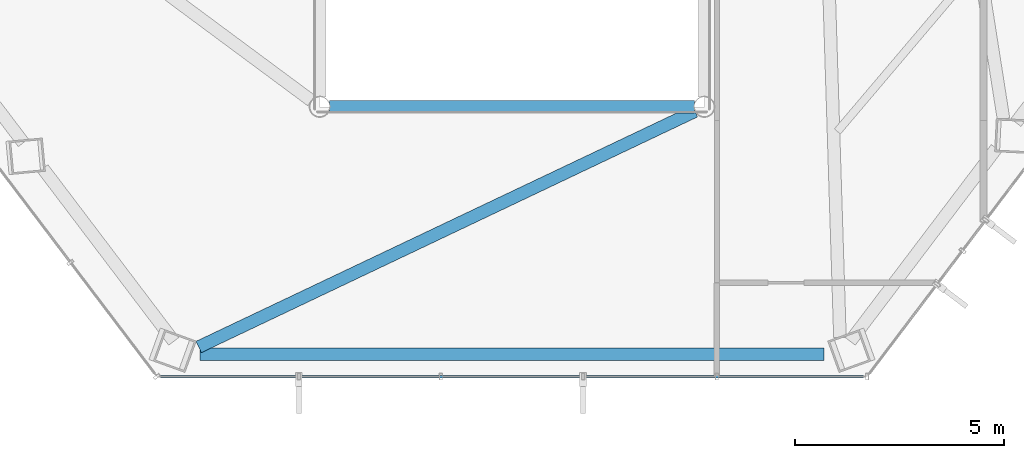
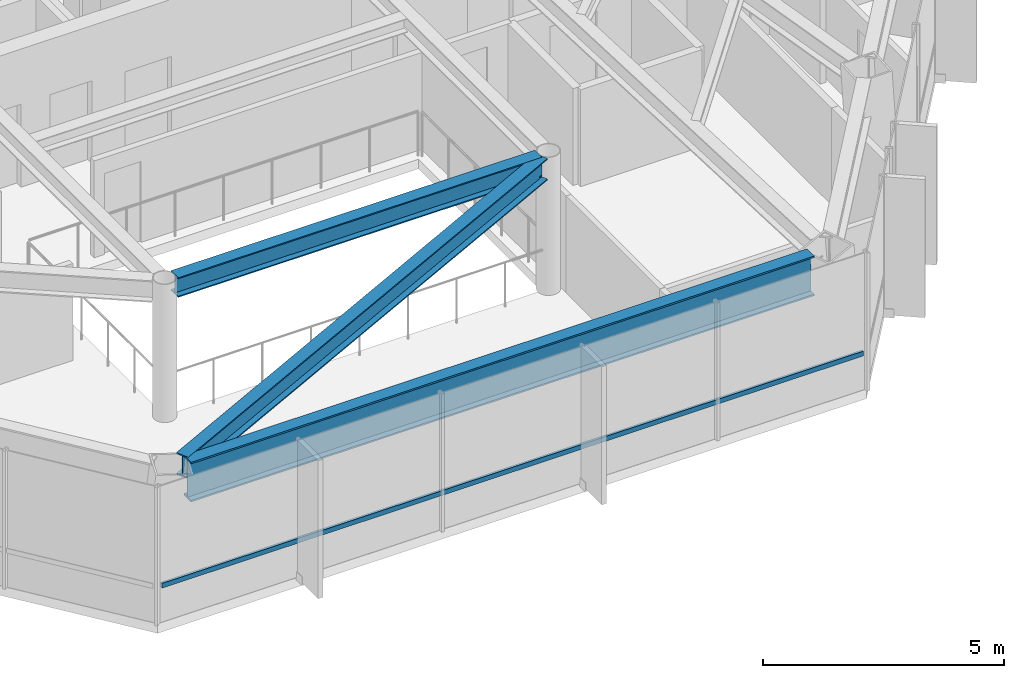
# One storey, part 7 of 29: 3 beams, 1 member, 1 element without a shape of its own.
"""IFC4 building model written with IfcOpenShell, lengths in metres."""

from ifc_helpers import new_model, si_unit, direction, frame, origin, origin_2d, place, context, subcontext, project, spatial, hollow_rectangle, i_section, extrude, material, layer, layer_set, material_profile, profile_set, type_object, element, aggregate, save


model = new_model("IFC4")

# Units and contexts
model_context = context("Model", 3, precision=1e-05, world=origin(), true_north=direction((0.0, 1.0)))
body_context = subcontext(model_context, "Body", "Model", "MODEL_VIEW")
ifc_project = project(units=[si_unit("LENGTHUNIT", "METRE"), si_unit("AREAUNIT", "SQUARE_METRE"), si_unit("VOLUMEUNIT", "CUBIC_METRE"), si_unit("PLANEANGLEUNIT", "RADIAN"), si_unit("MASSUNIT", "GRAM", prefix="KILO")], contexts=[model_context])

# Site, building, storey
site_placement = place(None, origin())
site = spatial("IfcSite", under=ifc_project, at=site_placement, CompositionType="ELEMENT")
building_placement = place(site_placement, origin())
building = spatial("IfcBuilding", under=site, at=building_placement, Name="Zarrinselat Tower", CompositionType="ELEMENT")
storey_placement = place(building_placement, frame((0.0, 0.0, 142.1201171875)))
storey = spatial("IfcBuildingStorey", under=building, at=storey_placement, Name="L34", CompositionType="ELEMENT", Elevation=142.1201171875)

# Beams
ifc_material_1 = material(Name="Steel S355J2", Category="steel")
ifc_material_profile_1 = material_profile(ifc_material_1, i_section(OverallWidth=0.300048828125, OverallDepth=0.5, WebThickness=0.014404296875, FlangeThickness=0.028076171875, at=origin_2d()), Name="HEB 500")
ifc_profile_set_1 = profile_set([ifc_material_profile_1], Name="Steel S355J2")
beam_type_1 = type_object("IfcBeamType", Name="BM-HEB500", PredefinedType="BEAM", material=ifc_profile_set_1)
beam_1_placement = place(storey_placement, frame((34.0400390625, 24.39990234375, 3.25), z_axis=(1.0, 0.0, 0.0), x_axis=(0.0, 1.0, 0.0)))
element("IfcBeam", 1, at=beam_1_placement, inside=storey, type_object=beam_type_1, Name="L34 Atrium Edge Beam S", PredefinedType="BEAM", context=body_context, shape_type="SweptSolid", body=[
    extrude(i_section(OverallWidth=0.300048828125, OverallDepth=0.5, WebThickness=0.014404296875, FlangeThickness=0.028076171875, at=origin_2d()), origin(), (0.0, 0.0, 1.0), 8.719970703125),
])
ifc_material_2 = material(Name="Steel S355J2", Category="steel")
ifc_material_profile_2 = material_profile(ifc_material_2, i_section(OverallWidth=0.300048828125, OverallDepth=0.550048828125, WebThickness=0.014892578125, FlangeThickness=0.029052734375, at=origin_2d()), Name="HEB 550")
ifc_profile_set_2 = profile_set([ifc_material_profile_2], Name="Steel S355J2")
beam_type_2 = type_object("IfcBeamType", Name="BM-HEB550", PredefinedType="BEAM", material=ifc_profile_set_2)
beam_2_placement = place(storey_placement, frame((30.905517578125, 18.654052734375, 3.224853515625), z_axis=(0.903246178465, 0.429122757597, 0.0), x_axis=(-0.429122757597, 0.903246178465, 0.0)))
element("IfcBeam", 2, at=beam_2_placement, inside=storey, type_object=beam_type_2, Name="L34 Radial Primary Girder RG10", PredefinedType="BEAM", context=body_context, shape_type="SweptSolid", body=[
    extrude(i_section(OverallWidth=0.300048828125, OverallDepth=0.550048828125, WebThickness=0.014892578125, FlangeThickness=0.029052734375, at=origin_2d()), origin(), (0.0, 0.0, 1.0), 13.139892578125),
])
ifc_material_3 = material(Name="Steel S460M", Category="steel")
ifc_material_profile_3 = material_profile(ifc_material_3, i_section(OverallWidth=0.302001953125, OverallDepth=1.008056640625, WebThickness=0.02099609375, FlangeThickness=0.0400390625, at=origin_2d()), Name="HEM 1000")
ifc_profile_set_3 = profile_set([ifc_material_profile_3], Name="Steel S460M")
beam_type_3 = type_object("IfcBeamType", Name="BM-HEM1000", PredefinedType="BEAM", material=ifc_profile_set_3)
beam_3_placement = place(storey_placement, frame((30.930419921875, 18.4814453125, 2.995849609375), z_axis=(1.0, 0.0, 0.0), x_axis=(0.0, 1.0, 0.0)))
element("IfcBeam", 3, at=beam_3_placement, inside=storey, type_object=beam_type_3, Name="L34 Perimeter Spandrel Girder SP10", PredefinedType="BEAM", context=body_context, shape_type="SweptSolid", body=[
    extrude(i_section(OverallWidth=0.302001953125, OverallDepth=1.008056640625, WebThickness=0.02099609375, FlangeThickness=0.0400390625, at=origin_2d()), origin(), (0.0, 0.0, 1.0), 14.93896484375),
])

# Curtain wall, member
ifc_material_4 = material(Name="Extruded Aluminium Alloy EN AW-6063 T6", Category="aluminium")
ifc_layer = layer(ifc_material_4, 0.175048828125)
ifc_layer_set = layer_set([ifc_layer], Name="Extruded Aluminium Alloy EN AW-6063 T6")
curtain_wall_type = type_object("IfcCurtainWallType", Name="CWS-HTL", PredefinedType="NOTDEFINED", material=ifc_layer_set)
curtain_wall_placement = place(storey_placement, origin())
curtain_wall = element("IfcCurtainWall", 4, at=curtain_wall_placement, inside=storey, type_object=curtain_wall_type, Name="L34 Unitised Curtain Wall CW-L34-E04", PredefinedType="NOTDEFINED")
ifc_material_5 = material(Name="Extruded Aluminium Alloy EN AW-6063 T6", Category="aluminium")
ifc_material_profile_4 = material_profile(ifc_material_5, hollow_rectangle(XDim=0.06005859375, YDim=0.1201171875, WallThickness=0.00390625, at=origin_2d()), Name="RHS 120x60x4")
ifc_profile_set_4 = profile_set([ifc_material_profile_4], Name="Extruded Aluminium Alloy EN AW-6063 T6")
member_type = type_object("IfcMemberType", Name="MEM-CW-TRN2", PredefinedType="USERDEFINED", material=ifc_profile_set_4)
member_placement = place(storey_placement, frame((29.9931640625, 17.94580078125, 0.949951171875), z_axis=(1.0, 0.0, 0.0), x_axis=(0.0, 1.0, 0.0)))
member = element("IfcMember", 5, at=member_placement, type_object=member_type, Name="CW-L34-E04 Transom 1", ObjectType="TRANSOM", PredefinedType="USERDEFINED", context=body_context, shape_type="SweptSolid", body=[
    extrude(hollow_rectangle(XDim=0.06005859375, YDim=0.1201171875, WallThickness=0.00390625, at=origin_2d()), origin(), (0.0, 0.0, 1.0), 16.813720703125),
])
aggregate(curtain_wall, [member])

save(model, "model.ifc")
